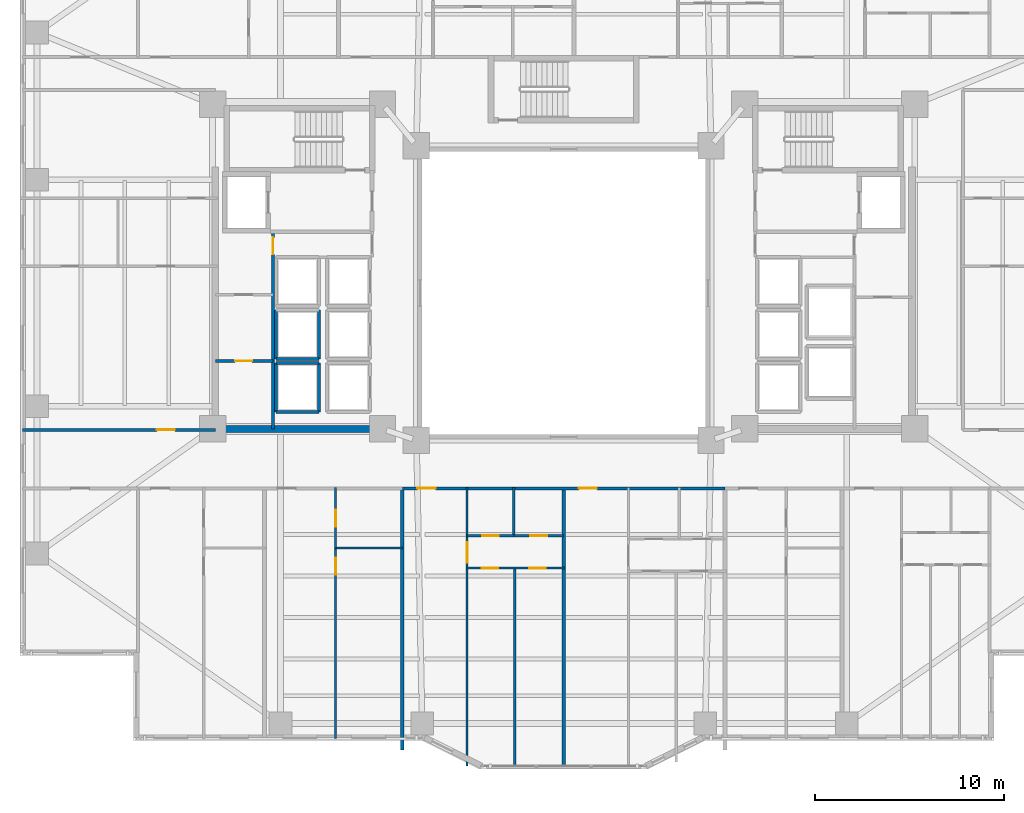
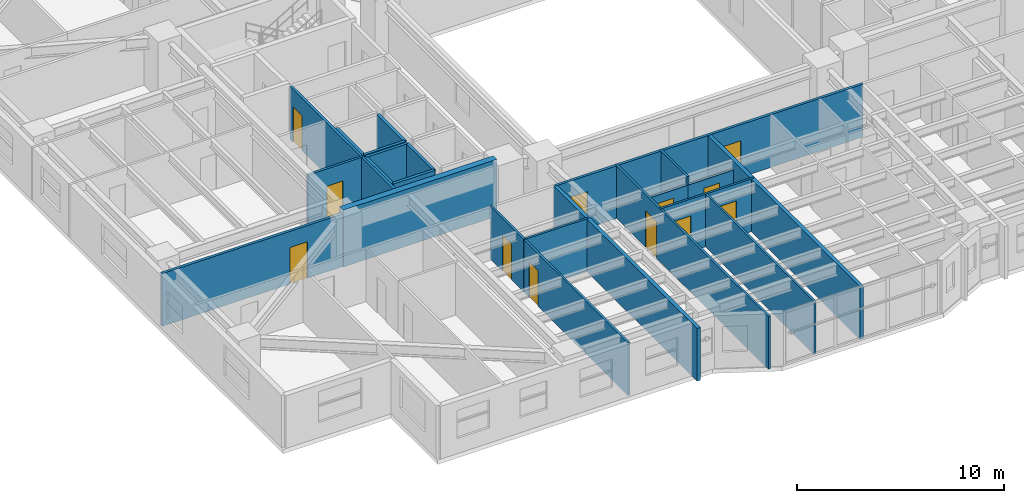
# One storey, part 10 of 22: 23 walls, 12 doors, 12 openings.
"""IFC4 building model written with IfcOpenShell, lengths in metres."""

import ifcopenshell
import ifcopenshell.guid

model = None  # the IFC model being written
_history = None  # IfcOwnerHistory: only IFC2X3 demands one
_inside = {}  # id of a spatial element -> (the spatial element, [elements in it])
_under = {}  # id of a project, library or spatial element -> (it, [spatial elements below it])
_declared = {}  # id of a project -> (the project, [libraries it declares])
_typed = {}  # id of a type object -> (the type object, [elements of that type])
_made_of = {}  # id of a material, layer set ... -> (it, [elements and type objects made of it])


def new_model(schema):
    """Start an empty IFC model of exactly this schema.

    Asked for "IFC4X3", IfcOpenShell would pick the latest addendum, in which some entities
    have other attributes; the version numbers below select the first issue.
    IFC2X3 requires an IfcOwnerHistory on every rooted entity: one is made here for all.
    """
    global model, _history
    if schema == "IFC4X3":
        model = ifcopenshell.file(schema_version=(4, 3, 0, 0))
    else:
        model = ifcopenshell.file(schema=schema)
    _inside.clear()
    _under.clear()
    _declared.clear()
    _typed.clear()
    _made_of.clear()
    _history = None
    if model.schema == "IFC2X3":
        org = make("IfcOrganization", Name="unknown")
        user = make(
            "IfcPersonAndOrganization",
            ThePerson=make("IfcPerson", FamilyName="unknown"),
            TheOrganization=org,
        )
        app = make(
            "IfcApplication",
            ApplicationDeveloper=org,
            Version="unknown",
            ApplicationFullName="unknown",
            ApplicationIdentifier="unknown",
        )
        _history = make(
            "IfcOwnerHistory",
            OwningUser=user,
            OwningApplication=app,
            ChangeAction="ADDED",
            CreationDate=0,
        )
    return model


def make(cls, **values):
    """One entity of the class cls with the attributes given. An attribute that is None is left unset."""
    return model.create_entity(
        cls, **{name: value for name, value in values.items() if value is not None}
    )


def rooted(cls, **values):
    """An entity with a GlobalId (a new one), such as an element, a storey or a relation."""
    return make(cls, GlobalId=ifcopenshell.guid.new(), OwnerHistory=_history, **values)


def si_unit(unit_type, name, prefix=None):
    """IfcSIUnit, for example si_unit("LENGTHUNIT", "METRE", prefix="MILLI")."""
    return make("IfcSIUnit", UnitType=unit_type, Prefix=prefix, Name=name)


def assignment(units):
    """IfcUnitAssignment: the units of a project."""
    return None if units is None else make("IfcUnitAssignment", Units=units)


def point(xyz):
    """IfcCartesianPoint."""
    return None if xyz is None else make("IfcCartesianPoint", Coordinates=xyz)


def direction(xyz):
    """IfcDirection."""
    return None if xyz is None else make("IfcDirection", DirectionRatios=xyz)


def frame(location, z_axis=None, x_axis=None):
    """IfcAxis2Placement3D, a coordinate frame: its origin and axes. An axis left out is left unset."""
    return make(
        "IfcAxis2Placement3D",
        Location=point(location),
        Axis=direction(z_axis),
        RefDirection=direction(x_axis),
    )


def frame_2d(location, x_axis=None):
    """IfcAxis2Placement2D, a coordinate frame in the plane: its origin and x axis."""
    return make(
        "IfcAxis2Placement2D", Location=point(location), RefDirection=direction(x_axis)
    )


def origin():
    """The frame at (0, 0, 0) with its axes left unset."""
    return frame((0.0, 0.0, 0.0))


def place(relative_to, where):
    """IfcLocalPlacement: puts the frame where relative to a parent placement (None: the world)."""
    return make(
        "IfcLocalPlacement", PlacementRelTo=relative_to, RelativePlacement=where
    )


def context(
    kind, dimensions, precision=None, world=None, true_north=None, identifier=None
):
    """IfcGeometricRepresentationContext, for example the 3D "Model" context."""
    return make(
        "IfcGeometricRepresentationContext",
        ContextIdentifier=identifier,
        ContextType=kind,
        CoordinateSpaceDimension=dimensions,
        Precision=precision,
        WorldCoordinateSystem=world,
        TrueNorth=true_north,
    )


def subcontext(parent, identifier, kind, view, scale=None):
    """IfcGeometricRepresentationSubContext, for example "Body" below "Model"."""
    return make(
        "IfcGeometricRepresentationSubContext",
        ContextIdentifier=identifier,
        ContextType=kind,
        ParentContext=parent,
        TargetScale=scale,
        TargetView=view,
    )


def project(units=None, contexts=None):
    """IfcProject with its units and contexts."""
    return rooted(
        "IfcProject",
        Name="project",
        RepresentationContexts=contexts,
        UnitsInContext=assignment(units),
    )


def spatial(cls, under=None, at=None, **own):
    """A site, building, storey or space (cls), placed at a placement, below another one or the project."""
    s = rooted(cls, ObjectPlacement=at, **own)
    if under is not None:
        _under.setdefault(under.id(), (under, []))[1].append(s)
    return s


def profile(cls, at=None, kind="AREA", **sizes):
    """A parametric profile (cls). Its sizes go by their IFC names, for example OverallWidth=200.0."""
    return make(cls, ProfileType=kind, Position=at, **sizes)


def rectangle(**sizes):
    """IfcRectangleProfileDef."""
    return profile("IfcRectangleProfileDef", **sizes)


def extrude(swept, where, along, depth):
    """IfcExtrudedAreaSolid: the profile swept, set in the frame where, extruded along a direction by depth."""
    return make(
        "IfcExtrudedAreaSolid",
        SweptArea=swept,
        Position=where,
        ExtrudedDirection=direction(along),
        Depth=depth,
    )


def shape(context_of_items, identifier, shape_type, items):
    """IfcShapeRepresentation: the items that make up one representation, for example the "Body"."""
    return make(
        "IfcShapeRepresentation",
        ContextOfItems=context_of_items,
        RepresentationIdentifier=identifier,
        RepresentationType=shape_type,
        Items=items,
    )


def material(Name=None, Category=None):
    """IfcMaterial."""
    return make("IfcMaterial", Name=Name, Category=Category)


def layer(
    of_material, thickness, ventilated=None, Name=None, Category=None, Priority=None
):
    """IfcMaterialLayer: one layer of a wall or slab, of a material (None: an air gap)."""
    return make(
        "IfcMaterialLayer",
        Material=of_material,
        LayerThickness=thickness,
        IsVentilated=ventilated,
        Name=Name,
        Category=Category,
        Priority=Priority,
    )


def layer_set(layers, Name=None):
    """IfcMaterialLayerSet."""
    return make("IfcMaterialLayerSet", MaterialLayers=layers, LayerSetName=Name)


def made_of(thing, what):
    """Note that an element or type object is made of a material, layer set ...; save() writes the relation."""
    if what is not None:
        _made_of.setdefault(what.id(), (what, []))[1].append(thing)
    return thing


def type_object(cls, material=None, **own):
    """A type object (cls), such as IfcWallType, which elements share."""
    return made_of(rooted(cls, **own), material)


def element(
    cls,
    number,
    at=None,
    inside=None,
    cuts=None,
    type_object=None,
    material=None,
    context=None,
    identifier="Body",
    shape_type=None,
    held_by="IfcProductDefinitionShape",
    body=None,
    shapes=None,
    **own,
):
    """One element of the class cls, such as IfcWall. Its Tag is "e" and its number.

    at: its placement. inside: the storey or other place that contains it. cuts: it is an
    opening in that element (IfcRelVoidsElement). A single representation is given by context,
    identifier, shape_type and body (its items); several are given by shapes. held_by: the class
    of the entity that holds the representations. save() writes the other relations.
    """
    e = rooted(cls, Tag="e%d" % number, ObjectPlacement=at, **own)
    if body is not None:
        shapes = [shape(context, identifier, shape_type, body)]
    if shapes is not None:
        e.Representation = make(held_by, Representations=shapes)
    if inside is not None:
        _inside.setdefault(inside.id(), (inside, []))[1].append(e)
    if cuts is not None:
        rooted(
            "IfcRelVoidsElement", RelatingBuildingElement=cuts, RelatedOpeningElement=e
        )
    if type_object is not None:
        _typed.setdefault(type_object.id(), (type_object, []))[1].append(e)
    return made_of(e, material)


def fill(opening, filler):
    """IfcRelFillsElement: the door or window that sits in an opening."""
    return rooted(
        "IfcRelFillsElement",
        RelatingOpeningElement=opening,
        RelatedBuildingElement=filler,
    )


def aggregate(whole, parts):
    """IfcRelAggregates: a whole, such as a stair, and the parts it consists of."""
    return rooted("IfcRelAggregates", RelatingObject=whole, RelatedObjects=parts)


def save(model, path):
    """Write the relations noted so far, then the file.

    IfcRelAggregates (storeys below a building ...), IfcRelContainedInSpatialStructure (elements
    in a storey), IfcRelDefinesByType, IfcRelAssociatesMaterial and IfcRelDeclares: one each for
    every whole, place, type object, material and project.
    """
    for whole, parts in _under.values():
        aggregate(whole, parts)
    for where, things in _inside.values():
        rooted(
            "IfcRelContainedInSpatialStructure",
            RelatedElements=things,
            RelatingStructure=where,
        )
    for kind, things in _typed.values():
        rooted("IfcRelDefinesByType", RelatedObjects=things, RelatingType=kind)
    for what, things in _made_of.values():
        rooted("IfcRelAssociatesMaterial", RelatedObjects=things, RelatingMaterial=what)
    for by, libraries in _declared.values():
        rooted("IfcRelDeclares", RelatingContext=by, RelatedDefinitions=libraries)
    model.write(path)


model = new_model("IFC4")

# Units and contexts
model_context = context("Model", 3, precision=1e-05, world=origin(), true_north=direction((0.0, 1.0)))
body_context = subcontext(model_context, "Body", "Model", "MODEL_VIEW")
ifc_project = project(units=[si_unit("LENGTHUNIT", "METRE"), si_unit("AREAUNIT", "SQUARE_METRE"), si_unit("VOLUMEUNIT", "CUBIC_METRE"), si_unit("PLANEANGLEUNIT", "RADIAN"), si_unit("MASSUNIT", "GRAM", prefix="KILO")], contexts=[model_context])

# Site, building, storey
site_placement = place(None, origin())
site = spatial("IfcSite", under=ifc_project, at=site_placement, CompositionType="ELEMENT")
building_placement = place(site_placement, origin())
building = spatial("IfcBuilding", under=site, at=building_placement, Name="Tarnavaz Court Tower", CompositionType="ELEMENT")
storey_placement = place(building_placement, frame((0.0, 0.0, 27.35009765625)))
storey = spatial("IfcBuildingStorey", under=building, at=storey_placement, Name="L06", CompositionType="ELEMENT", Elevation=27.35009765625)

# Wall
ifc_material_1 = material(Name="Concrete C60/75", Category="concrete")
ifc_layer_1 = layer(ifc_material_1, 0.35009765625)
ifc_layer_set_1 = layer_set([ifc_layer_1], Name="Concrete C60/75")
wall_type_1 = type_object("IfcWallType", Name="WL-CORE-350-C60", PredefinedType="SHEAR", material=ifc_layer_set_1)
wall_1_placement = place(storey_placement, frame((-18.625, -7.199951171875, 0.0), z_axis=(0.0, 0.0, 1.0), x_axis=(1.0, 0.0, 0.0)))
element("IfcWall", 1, at=wall_1_placement, inside=storey, type_object=wall_type_1, Name="L06 West Core South Shear Wall 070", PredefinedType="SHEAR", context=body_context, shape_type="SweptSolid", body=[
    extrude(rectangle(XDim=8.550048828125, YDim=0.35009765625, at=frame_2d((4.27490234375, 0.0))), origin(), (0.0, 0.0, 1.0), 3.349853515625),
])

# Wall, openings, doors
ifc_material_2 = material(Name="Gypsum Fire-Board on Acoustic Metal Stud", Category="masonry")
ifc_layer_2 = layer(ifc_material_2, 0.14990234375)
ifc_layer_set_2 = layer_set([ifc_layer_2], Name="Gypsum Fire-Board on Acoustic Metal Stud")
wall_type_2 = type_object("IfcWallType", Name="WL-FIRE-150", PredefinedType="PARTITIONING", material=ifc_layer_set_2)
wall_2_placement = place(storey_placement, frame((-8.550048828125, -10.35009765625, 0.0), z_axis=(0.0, 0.0, 1.0), x_axis=(1.0, 0.0, 0.0)))
wall_2 = element("IfcWall", 2, at=wall_2_placement, inside=storey, type_object=wall_type_2, Name="L06 South Ring Corridor Wall 086", PredefinedType="PARTITIONING", context=body_context, shape_type="SweptSolid", body=[
    extrude(rectangle(XDim=17.10009765625, YDim=0.14990234375, at=frame_2d((8.550048828125, 0.0))), origin(), (0.0, 0.0, 1.0), 3.099853515625),
])
opening_1_placement = place(wall_2_placement, frame((0.800048828125, 0.0, 0.0)))
opening_1 = element("IfcOpeningElement", 3, at=opening_1_placement, cuts=wall_2, Name="Opening D06", PredefinedType="OPENING", context=body_context, shape_type="SweptSolid", body=[
    extrude(rectangle(XDim=0.9599609375, YDim=2.14990234375, at=frame_2d((0.47998046875, 1.074951171875))), frame((0.0, 0.0849609375, 0.0), z_axis=(0.0, -1.0, 0.0), x_axis=(1.0, 0.0, 0.0)), (0.0, 0.0, 1.0), 0.169921875),
])
opening_2_placement = place(wall_2_placement, frame((9.35009765625, 0.0, 0.0)))
opening_2 = element("IfcOpeningElement", 4, at=opening_2_placement, cuts=wall_2, Name="Opening D06", PredefinedType="OPENING", context=body_context, shape_type="SweptSolid", body=[
    extrude(rectangle(XDim=0.9599609375, YDim=2.14990234375, at=frame_2d((0.47998046875, 1.074951171875))), frame((0.0, 0.0849609375, 0.0), z_axis=(0.0, -1.0, 0.0), x_axis=(1.0, 0.0, 0.0)), (0.0, 0.0, 1.0), 0.169921875),
])
ifc_material_3 = material(Name="Fire-Rated Hardwood Timber Core", Category="wood")
door_type_1 = type_object("IfcDoorType", Name="DR-FD60-950", OperationType="NOTDEFINED", PredefinedType="DOOR", material=ifc_material_3)
door_1_placement = place(opening_1_placement, origin())
door_1 = element("IfcDoor", 5, at=door_1_placement, inside=storey, type_object=door_type_1, Name="L06 Flat 09 Entrance Door", OperationType="SINGLE_SWING_LEFT", OverallHeight=2.14990234375, OverallWidth=0.9599609375, PredefinedType="DOOR", context=body_context, shape_type="SweptSolid", body=[
    extrude(rectangle(XDim=0.9599609375, YDim=2.14990234375, at=frame_2d((0.47998046875, 1.074951171875))), frame((0.0, 0.02490234375, 0.0), z_axis=(0.0, -1.0, 0.0), x_axis=(1.0, 0.0, 0.0)), (0.0, 0.0, 1.0), 0.050048828125),
])
fill(opening_1, door_1)
door_2_placement = place(opening_2_placement, origin())
door_2 = element("IfcDoor", 6, at=door_2_placement, inside=storey, type_object=door_type_1, Name="L06 Flat 10 Entrance Door", OperationType="SINGLE_SWING_LEFT", OverallHeight=2.14990234375, OverallWidth=0.9599609375, PredefinedType="DOOR", context=body_context, shape_type="SweptSolid", body=[
    extrude(rectangle(XDim=0.9599609375, YDim=2.14990234375, at=frame_2d((0.47998046875, 1.074951171875))), frame((0.0, 0.02490234375, 0.0), z_axis=(0.0, -1.0, 0.0), x_axis=(1.0, 0.0, 0.0)), (0.0, 0.0, 1.0), 0.050048828125),
])
fill(opening_2, door_2)

# Wall, opening, door
wall_3_placement = place(storey_placement, frame((-28.679931640625, -7.25, 0.0), z_axis=(0.0, 0.0, 1.0), x_axis=(1.0, 0.0, 0.0)))
wall_3 = element("IfcWall", 7, at=wall_3_placement, inside=storey, type_object=wall_type_2, Name="L06 Interior Partition 145", PredefinedType="PARTITIONING", context=body_context, shape_type="SweptSolid", body=[
    extrude(rectangle(XDim=10.22998046875, YDim=0.14990234375, at=frame_2d((5.114990234375, 0.0))), origin(), (0.0, 0.0, 1.0), 3.099853515625),
])
opening_3_placement = place(wall_3_placement, frame((7.1298828125, 0.0, 0.0)))
opening_3 = element("IfcOpeningElement", 8, at=opening_3_placement, cuts=wall_3, Name="Opening D06", PredefinedType="OPENING", context=body_context, shape_type="SweptSolid", body=[
    extrude(rectangle(XDim=0.9599609375, YDim=2.14990234375, at=frame_2d((0.47998046875, 1.074951171875))), frame((0.0, 0.0849609375, 0.0), z_axis=(0.0, -1.0, 0.0), x_axis=(1.0, 0.0, 0.0)), (0.0, 0.0, 1.0), 0.169921875),
])
door_3_placement = place(opening_3_placement, origin())
door_3 = element("IfcDoor", 9, at=door_3_placement, inside=storey, type_object=door_type_1, Name="L06 Flat 11 Entrance Door", OperationType="SINGLE_SWING_LEFT", OverallHeight=2.14990234375, OverallWidth=0.9599609375, PredefinedType="DOOR", context=body_context, shape_type="SweptSolid", body=[
    extrude(rectangle(XDim=0.9599609375, YDim=2.14990234375, at=frame_2d((0.47998046875, 1.074951171875))), frame((0.0, 0.02490234375, 0.0), z_axis=(0.0, -1.0, 0.0), x_axis=(1.0, 0.0, 0.0)), (0.0, 0.0, 1.0), 0.050048828125),
])
fill(opening_3, door_3)

# Walls
ifc_material_4 = material(Name="Autoclaved Aerated Concrete Blockwork", Category="masonry")
ifc_layer_3 = layer(ifc_material_4, 0.199951171875)
ifc_layer_set_3 = layer_set([ifc_layer_3], Name="Autoclaved Aerated Concrete Blockwork")
wall_type_3 = type_object("IfcWallType", Name="WL-FIRE-200", PredefinedType="SOLIDWALL", material=ifc_layer_set_3)
wall_4_placement = place(storey_placement, frame((-8.550048828125, -24.2041015625, 0.0), z_axis=(0.0, 0.0, 1.0), x_axis=(0.0, 1.0, 0.0)))
element("IfcWall", 10, at=wall_4_placement, inside=storey, type_object=wall_type_3, Name="L06 Party Wall 130", PredefinedType="SOLIDWALL", context=body_context, shape_type="SweptSolid", body=[
    extrude(rectangle(XDim=13.85400390625, YDim=0.199951171875, at=frame_2d((6.927001953125, 0.0))), origin(), (0.0, 0.0, 1.0), 3.099853515625),
])
wall_5_placement = place(storey_placement, frame((0.0, -25.080078125, 0.0), z_axis=(0.0, 0.0, 1.0), x_axis=(0.0, 1.0, 0.0)))
element("IfcWall", 11, at=wall_5_placement, inside=storey, type_object=wall_type_3, Name="L06 Party Wall 132", PredefinedType="SOLIDWALL", context=body_context, shape_type="SweptSolid", body=[
    extrude(rectangle(XDim=14.72998046875, YDim=0.199951171875, at=frame_2d((7.364990234375, 0.0))), origin(), (0.0, 0.0, 1.0), 3.099853515625),
])

# Wall, opening, door
ifc_material_5 = material(Name="Moisture-Resistant Gypsum Board Partition", Category="masonry")
ifc_layer_4 = layer(ifc_material_5, 0.1201171875)
ifc_layer_set_4 = layer_set([ifc_layer_4], Name="Moisture-Resistant Gypsum Board Partition")
wall_type_4 = type_object("IfcWallType", Name="WL-PART-120", PredefinedType="PARTITIONING", material=ifc_layer_set_4)
wall_6_placement = place(storey_placement, frame((-12.083984375, -23.60009765625, 0.0), z_axis=(0.0, 0.0, 1.0), x_axis=(0.0, 1.0, 0.0)))
wall_6 = element("IfcWall", 12, at=wall_6_placement, inside=storey, type_object=wall_type_4, Name="L06 Interior Partition 116", PredefinedType="PARTITIONING", context=body_context, shape_type="SweptSolid", body=[
    extrude(rectangle(XDim=10.090087890625, YDim=0.1201171875, at=frame_2d((5.044921875, 0.0))), origin(), (0.0, 0.0, 1.0), 3.099853515625),
])
opening_4_placement = place(wall_6_placement, frame((8.68994140625, 0.0, 0.0)))
opening_4 = element("IfcOpeningElement", 13, at=opening_4_placement, cuts=wall_6, Name="Opening D14", PredefinedType="OPENING", context=body_context, shape_type="SweptSolid", body=[
    extrude(rectangle(XDim=0.8798828125, YDim=2.10009765625, at=frame_2d((0.43994140625, 1.050048828125))), frame((0.0, 0.070068359375, 0.0), z_axis=(0.0, -1.0, 0.0), x_axis=(1.0, 0.0, 0.0)), (0.0, 0.0, 1.0), 0.14013671875),
])
ifc_material_6 = material(Name="Engineered Oak Timber", Category="wood")
door_type_2 = type_object("IfcDoorType", Name="DR-INT-900", OperationType="NOTDEFINED", PredefinedType="DOOR", material=ifc_material_6)
door_4_placement = place(opening_4_placement, origin())
door_4 = element("IfcDoor", 14, at=door_4_placement, inside=storey, type_object=door_type_2, Name="L06 Flat 06 Kitchen Door", OperationType="SINGLE_SWING_LEFT", OverallHeight=2.10009765625, OverallWidth=0.8798828125, PredefinedType="DOOR", context=body_context, shape_type="SweptSolid", body=[
    extrude(rectangle(XDim=0.8798828125, YDim=2.10009765625, at=frame_2d((0.43994140625, 1.050048828125))), frame((0.0, 0.02490234375, 0.0), z_axis=(0.0, -1.0, 0.0), x_axis=(1.0, 0.0, 0.0)), (0.0, 0.0, 1.0), 0.050048828125),
])
fill(opening_4, door_4)

wall_7_placement = place(storey_placement, frame((-12.083984375, -13.510009765625, 0.0), z_axis=(0.0, 0.0, 1.0), x_axis=(0.0, 1.0, 0.0)))
wall_7 = element("IfcWall", 15, at=wall_7_placement, inside=storey, type_object=wall_type_4, Name="L06 Interior Partition 117", PredefinedType="PARTITIONING", context=body_context, shape_type="SweptSolid", body=[
    extrude(rectangle(XDim=3.219970703125, YDim=0.1201171875, at=frame_2d((1.60986328125, 0.0))), origin(), (0.0, 0.0, 1.0), 3.099853515625),
])
opening_5_placement = place(wall_7_placement, frame((1.139892578125, 0.0, 0.0)))
opening_5 = element("IfcOpeningElement", 16, at=opening_5_placement, cuts=wall_7, Name="Opening D14", PredefinedType="OPENING", context=body_context, shape_type="SweptSolid", body=[
    extrude(rectangle(XDim=0.8798828125, YDim=2.10009765625, at=frame_2d((0.43994140625, 1.050048828125))), frame((0.0, 0.070068359375, 0.0), z_axis=(0.0, -1.0, 0.0), x_axis=(1.0, 0.0, 0.0)), (0.0, 0.0, 1.0), 0.14013671875),
])
door_5_placement = place(opening_5_placement, origin())
door_5 = element("IfcDoor", 17, at=door_5_placement, inside=storey, type_object=door_type_2, Name="L06 Flat 06 Bathroom Door", OperationType="SINGLE_SWING_RIGHT", OverallHeight=2.10009765625, OverallWidth=0.8798828125, PredefinedType="DOOR", context=body_context, shape_type="SweptSolid", body=[
    extrude(rectangle(XDim=0.8798828125, YDim=2.10009765625, at=frame_2d((0.43994140625, 1.050048828125))), frame((0.0, 0.02490234375, 0.0), z_axis=(0.0, -1.0, 0.0), x_axis=(1.0, 0.0, 0.0)), (0.0, 0.0, 1.0), 0.050048828125),
])
fill(opening_5, door_5)

# Wall
wall_8_placement = place(storey_placement, frame((-12.14404296875, -13.510009765625, 0.0), z_axis=(0.0, 0.0, 1.0), x_axis=(1.0, 0.0, 0.0)))
element("IfcWall", 18, at=wall_8_placement, inside=storey, type_object=wall_type_4, Name="L06 Interior Partition 118", PredefinedType="PARTITIONING", context=body_context, shape_type="SweptSolid", body=[
    extrude(rectangle(XDim=3.60400390625, YDim=0.1201171875, at=frame_2d((1.802001953125, 0.0))), origin(), (0.0, 0.0, 1.0), 3.099853515625),
])

# Wall, opening, door
wall_9_placement = place(storey_placement, frame((-5.117919921875, -25.051025390625, 0.0), z_axis=(0.0, 0.0, 1.0), x_axis=(0.0, 1.0, 0.0)))
wall_9 = element("IfcWall", 19, at=wall_9_placement, inside=storey, type_object=wall_type_4, Name="L06 Interior Partition 133", PredefinedType="PARTITIONING", context=body_context, shape_type="SweptSolid", body=[
    extrude(rectangle(XDim=14.760986328125, YDim=0.1201171875, at=frame_2d((7.38037109375, 0.0))), origin(), (0.0, 0.0, 1.0), 3.099853515625),
])
opening_6_placement = place(wall_9_placement, frame((10.76611328125, 0.0, 0.0)))
opening_6 = element("IfcOpeningElement", 20, at=opening_6_placement, cuts=wall_9, Name="Opening D12", PredefinedType="OPENING", context=body_context, shape_type="SweptSolid", body=[
    extrude(rectangle(XDim=1.080078125, YDim=2.14990234375, at=frame_2d((0.5400390625, 1.074951171875))), frame((0.0, 0.070068359375, 0.0), z_axis=(0.0, -1.0, 0.0), x_axis=(1.0, 0.0, 0.0)), (0.0, 0.0, 1.0), 0.14013671875),
])
door_type_3 = type_object("IfcDoorType", Name="DR-INT-1100", OperationType="NOTDEFINED", PredefinedType="DOOR", material=ifc_material_6)
door_6_placement = place(opening_6_placement, origin())
door_6 = element("IfcDoor", 21, at=door_6_placement, inside=storey, type_object=door_type_3, Name="L06 Flat 09 Foyer Door", OperationType="SINGLE_SWING_RIGHT", OverallHeight=2.14990234375, OverallWidth=1.080078125, PredefinedType="DOOR", context=body_context, shape_type="SweptSolid", body=[
    extrude(rectangle(XDim=1.080078125, YDim=2.14990234375, at=frame_2d((0.5400390625, 1.074951171875))), frame((0.0, 0.02490234375, 0.0), z_axis=(0.0, -1.0, 0.0), x_axis=(1.0, 0.0, 0.0)), (0.0, 0.0, 1.0), 0.050048828125),
])
fill(opening_6, door_6)

wall_10_placement = place(storey_placement, frame((-5.117919921875, -12.860107421875, 0.0), z_axis=(0.0, 0.0, 1.0), x_axis=(1.0, 0.0, 0.0)))
wall_10 = element("IfcWall", 22, at=wall_10_placement, inside=storey, type_object=wall_type_4, Name="L06 Interior Partition 134", PredefinedType="PARTITIONING", context=body_context, shape_type="SweptSolid", body=[
    extrude(rectangle(XDim=2.47802734375, YDim=0.1201171875, at=frame_2d((1.239013671875, 0.0))), origin(), (0.0, 0.0, 1.0), 2.5849609375),
])
opening_7_placement = place(wall_10_placement, frame((0.799072265625, 0.0, 0.0)))
opening_7 = element("IfcOpeningElement", 23, at=opening_7_placement, cuts=wall_10, Name="Opening D14", PredefinedType="OPENING", context=body_context, shape_type="SweptSolid", body=[
    extrude(rectangle(XDim=0.8798828125, YDim=2.10009765625, at=frame_2d((0.43994140625, 1.050048828125))), frame((0.0, 0.070068359375, 0.0), z_axis=(0.0, -1.0, 0.0), x_axis=(1.0, 0.0, 0.0)), (0.0, 0.0, 1.0), 0.14013671875),
])
door_7_placement = place(opening_7_placement, origin())
door_7 = element("IfcDoor", 24, at=door_7_placement, inside=storey, type_object=door_type_2, Name="L06 Flat 09 Kitchen Door", OperationType="SINGLE_SWING_LEFT", OverallHeight=2.10009765625, OverallWidth=0.8798828125, PredefinedType="DOOR", context=body_context, shape_type="SweptSolid", body=[
    extrude(rectangle(XDim=0.8798828125, YDim=2.10009765625, at=frame_2d((0.43994140625, 1.050048828125))), frame((0.0, 0.02490234375, 0.0), z_axis=(0.0, -1.0, 0.0), x_axis=(1.0, 0.0, 0.0)), (0.0, 0.0, 1.0), 0.050048828125),
])
fill(opening_7, door_7)

wall_11_placement = place(storey_placement, frame((-2.639892578125, -12.860107421875, 0.0), z_axis=(0.0, 0.0, 1.0), x_axis=(1.0, 0.0, 0.0)))
wall_11 = element("IfcWall", 25, at=wall_11_placement, inside=storey, type_object=wall_type_4, Name="L06 Interior Partition 135", PredefinedType="PARTITIONING", context=body_context, shape_type="SweptSolid", body=[
    extrude(rectangle(XDim=2.639892578125, YDim=0.1201171875, at=frame_2d((1.31982421875, 0.0))), origin(), (0.0, 0.0, 1.0), 2.5849609375),
])
opening_8_placement = place(wall_11_placement, frame((0.8798828125, 0.0, 0.0)))
opening_8 = element("IfcOpeningElement", 26, at=opening_8_placement, cuts=wall_11, Name="Opening D14", PredefinedType="OPENING", context=body_context, shape_type="SweptSolid", body=[
    extrude(rectangle(XDim=0.8798828125, YDim=2.10009765625, at=frame_2d((0.43994140625, 1.050048828125))), frame((0.0, 0.070068359375, 0.0), z_axis=(0.0, -1.0, 0.0), x_axis=(1.0, 0.0, 0.0)), (0.0, 0.0, 1.0), 0.14013671875),
])
door_8_placement = place(opening_8_placement, origin())
door_8 = element("IfcDoor", 27, at=door_8_placement, inside=storey, type_object=door_type_2, Name="L06 Flat 09 Bathroom Door", OperationType="SINGLE_SWING_RIGHT", OverallHeight=2.10009765625, OverallWidth=0.8798828125, PredefinedType="DOOR", context=body_context, shape_type="SweptSolid", body=[
    extrude(rectangle(XDim=0.8798828125, YDim=2.10009765625, at=frame_2d((0.43994140625, 1.050048828125))), frame((0.0, 0.02490234375, 0.0), z_axis=(0.0, -1.0, 0.0), x_axis=(1.0, 0.0, 0.0)), (0.0, 0.0, 1.0), 0.050048828125),
])
fill(opening_8, door_8)

# Wall, openings, doors
wall_12_placement = place(storey_placement, frame((-5.177978515625, -14.570068359375, 0.0), z_axis=(0.0, 0.0, 1.0), x_axis=(1.0, 0.0, 0.0)))
wall_12 = element("IfcWall", 28, at=wall_12_placement, inside=storey, type_object=wall_type_4, Name="L06 Interior Partition 136", PredefinedType="PARTITIONING", context=body_context, shape_type="SweptSolid", body=[
    extrude(rectangle(XDim=5.238037109375, YDim=0.1201171875, at=frame_2d((2.619140625, 0.0))), origin(), (0.0, 0.0, 1.0), 3.099853515625),
])
opening_9_placement = place(wall_12_placement, frame((0.824951171875, 0.0, 0.0)))
opening_9 = element("IfcOpeningElement", 29, at=opening_9_placement, cuts=wall_12, Name="Opening D14", PredefinedType="OPENING", context=body_context, shape_type="SweptSolid", body=[
    extrude(rectangle(XDim=0.8798828125, YDim=2.10009765625, at=frame_2d((0.43994140625, 1.050048828125))), frame((0.0, 0.070068359375, 0.0), z_axis=(0.0, -1.0, 0.0), x_axis=(1.0, 0.0, 0.0)), (0.0, 0.0, 1.0), 0.14013671875),
])
opening_10_placement = place(wall_12_placement, frame((3.35400390625, 0.0, 0.0)))
opening_10 = element("IfcOpeningElement", 30, at=opening_10_placement, cuts=wall_12, Name="Opening D14", PredefinedType="OPENING", context=body_context, shape_type="SweptSolid", body=[
    extrude(rectangle(XDim=0.8798828125, YDim=2.10009765625, at=frame_2d((0.43994140625, 1.050048828125))), frame((0.0, 0.070068359375, 0.0), z_axis=(0.0, -1.0, 0.0), x_axis=(1.0, 0.0, 0.0)), (0.0, 0.0, 1.0), 0.14013671875),
])
door_9_placement = place(opening_9_placement, origin())
door_9 = element("IfcDoor", 31, at=door_9_placement, inside=storey, type_object=door_type_2, Name="L06 Flat 09 Bedroom 1 Door", OperationType="SINGLE_SWING_LEFT", OverallHeight=2.10009765625, OverallWidth=0.8798828125, PredefinedType="DOOR", context=body_context, shape_type="SweptSolid", body=[
    extrude(rectangle(XDim=0.8798828125, YDim=2.10009765625, at=frame_2d((0.43994140625, 1.050048828125))), frame((0.0, 0.02490234375, 0.0), z_axis=(0.0, -1.0, 0.0), x_axis=(1.0, 0.0, 0.0)), (0.0, 0.0, 1.0), 0.050048828125),
])
fill(opening_9, door_9)
door_10_placement = place(opening_10_placement, origin())
door_10 = element("IfcDoor", 32, at=door_10_placement, inside=storey, type_object=door_type_2, Name="L06 Flat 09 Bedroom 2 Door", OperationType="SINGLE_SWING_RIGHT", OverallHeight=2.10009765625, OverallWidth=0.8798828125, PredefinedType="DOOR", context=body_context, shape_type="SweptSolid", body=[
    extrude(rectangle(XDim=0.8798828125, YDim=2.10009765625, at=frame_2d((0.43994140625, 1.050048828125))), frame((0.0, 0.02490234375, 0.0), z_axis=(0.0, -1.0, 0.0), x_axis=(1.0, 0.0, 0.0)), (0.0, 0.0, 1.0), 0.050048828125),
])
fill(opening_10, door_10)

# Walls
wall_13_placement = place(storey_placement, frame((-2.639892578125, -12.919921875, 0.0), z_axis=(0.0, 0.0, 1.0), x_axis=(0.0, 1.0, 0.0)))
element("IfcWall", 33, at=wall_13_placement, inside=storey, type_object=wall_type_4, Name="L06 Interior Partition 137", PredefinedType="PARTITIONING", context=body_context, shape_type="SweptSolid", body=[
    extrude(rectangle(XDim=2.6298828125, YDim=0.1201171875, at=frame_2d((1.31494140625, 0.0))), origin(), (0.0, 0.0, 1.0), 3.099853515625),
])
wall_14_placement = place(storey_placement, frame((-2.589111328125, -25.080078125, 0.0), z_axis=(0.0, 0.0, 1.0), x_axis=(0.0, 1.0, 0.0)))
element("IfcWall", 34, at=wall_14_placement, inside=storey, type_object=wall_type_4, Name="L06 Interior Partition 138", PredefinedType="PARTITIONING", context=body_context, shape_type="SweptSolid", body=[
    extrude(rectangle(XDim=10.570068359375, YDim=0.1201171875, at=frame_2d((5.28515625, 0.0))), origin(), (0.0, 0.0, 1.0), 3.099853515625),
])

# Wall, opening, door
ifc_material_7 = material(Name="Gypsum Plasterboard Acoustic Partition", Category="masonry")
ifc_layer_5 = layer(ifc_material_7, 0.139892578125)
ifc_layer_set_5 = layer_set([ifc_layer_5], Name="Gypsum Plasterboard Acoustic Partition")
wall_type_5 = type_object("IfcWallType", Name="WL-PART-150", PredefinedType="PARTITIONING", material=ifc_layer_set_5)
wall_15_placement = place(storey_placement, frame((-15.39990234375, -7.199951171875, 0.0), z_axis=(0.0, 0.0, 1.0), x_axis=(0.0, 1.0, 0.0)))
wall_15 = element("IfcWall", 35, at=wall_15_placement, inside=storey, type_object=wall_type_5, Name="L06 Interior Partition 075", PredefinedType="PARTITIONING", context=body_context, shape_type="SweptSolid", body=[
    extrude(rectangle(XDim=10.449951171875, YDim=0.139892578125, at=frame_2d((5.22509765625, 0.0))), origin(), (0.0, 0.0, 1.0), 3.099853515625),
])
opening_11_placement = place(wall_15_placement, frame((9.25, 0.0, 0.0)))
opening_11 = element("IfcOpeningElement", 36, at=opening_11_placement, cuts=wall_15, Name="Opening D09", PredefinedType="OPENING", context=body_context, shape_type="SweptSolid", body=[
    extrude(rectangle(XDim=0.89990234375, YDim=2.080078125, at=frame_2d((0.449951171875, 1.0400390625))), frame((0.0, 0.079833984375, 0.0), z_axis=(0.0, -1.0, 0.0), x_axis=(1.0, 0.0, 0.0)), (0.0, 0.0, 1.0), 0.159912109375),
])
door_type_4 = type_object("IfcDoorType", Name="DR-FD30-900", OperationType="NOTDEFINED", PredefinedType="DOOR", material=ifc_material_3)
door_11_placement = place(opening_11_placement, origin())
door_11 = element("IfcDoor", 37, at=door_11_placement, inside=storey, type_object=door_type_4, Name="L06 West ICT Comms Door", OperationType="SINGLE_SWING_RIGHT", OverallHeight=2.080078125, OverallWidth=0.89990234375, PredefinedType="DOOR", context=body_context, shape_type="SweptSolid", body=[
    extrude(rectangle(XDim=0.89990234375, YDim=2.080078125, at=frame_2d((0.449951171875, 1.0400390625))), frame((0.0, 0.02490234375, 0.0), z_axis=(0.0, -1.0, 0.0), x_axis=(1.0, 0.0, 0.0)), (0.0, 0.0, 1.0), 0.050048828125),
])
fill(opening_11, door_11)

wall_16_placement = place(storey_placement, frame((-18.449951171875, -3.60009765625, 0.0), z_axis=(0.0, 0.0, 1.0), x_axis=(1.0, 0.0, 0.0)))
wall_16 = element("IfcWall", 38, at=wall_16_placement, inside=storey, type_object=wall_type_5, Name="L06 Interior Partition 076", PredefinedType="PARTITIONING", context=body_context, shape_type="SweptSolid", body=[
    extrude(rectangle(XDim=3.050048828125, YDim=0.139892578125, at=frame_2d((1.52490234375, 0.0))), origin(), (0.0, 0.0, 1.0), 3.099853515625),
])
opening_12_placement = place(wall_16_placement, frame((1.050048828125, 0.0, 0.0)))
opening_12 = element("IfcOpeningElement", 39, at=opening_12_placement, cuts=wall_16, Name="Opening D09", PredefinedType="OPENING", context=body_context, shape_type="SweptSolid", body=[
    extrude(rectangle(XDim=0.89990234375, YDim=2.080078125, at=frame_2d((0.449951171875, 1.0400390625))), frame((0.0, 0.079833984375, 0.0), z_axis=(0.0, -1.0, 0.0), x_axis=(1.0, 0.0, 0.0)), (0.0, 0.0, 1.0), 0.159912109375),
])
door_12_placement = place(opening_12_placement, origin())
door_12 = element("IfcDoor", 40, at=door_12_placement, inside=storey, type_object=door_type_4, Name="L06 West Electrical Closet Door", OperationType="SINGLE_SWING_RIGHT", OverallHeight=2.080078125, OverallWidth=0.89990234375, PredefinedType="DOOR", context=body_context, shape_type="SweptSolid", body=[
    extrude(rectangle(XDim=0.89990234375, YDim=2.080078125, at=frame_2d((0.449951171875, 1.0400390625))), frame((0.0, 0.02490234375, 0.0), z_axis=(0.0, -1.0, 0.0), x_axis=(1.0, 0.0, 0.0)), (0.0, 0.0, 1.0), 0.050048828125),
])
fill(opening_12, door_12)

# Walls
ifc_layer_6 = layer(ifc_material_4, 0.159912109375)
ifc_layer_set_6 = layer_set([ifc_layer_6], Name="Autoclaved Aerated Concrete Blockwork")
wall_type_6 = type_object("IfcWallType", Name="WL-SHAFT-150", PredefinedType="SOLIDWALL", material=ifc_layer_set_6)
for number, where, z_axis, x_axis, name in (
    (41, (-15.25, -6.300048828125, 0.0), (0.0, 0.0, 1.0), (0.0, 1.0, 0.0), "L06 Lift PL-H1 Shaft Wall 033"),
    (42, (-12.949951171875, -6.300048828125, 0.0), (0.0, 0.0, 1.0), (0.0, 1.0, 0.0), "L06 Lift PL-H1 Shaft Wall 034"),
):
    element("IfcWall", number, at=place(storey_placement, frame(where, z_axis=z_axis, x_axis=x_axis)), inside=storey, type_object=wall_type_6, Name=name, PredefinedType="SOLIDWALL", context=body_context, shape_type="SweptSolid", body=[
        extrude(rectangle(XDim=2.60009765625, YDim=0.159912109375, at=frame_2d((1.300048828125, 0.0))), origin(), (0.0, 0.0, 1.0), 3.099853515625),
    ])
for number, where, z_axis, x_axis, name in (
    (43, (-15.25, -6.300048828125, 0.0), (0.0, 0.0, 1.0), (1.0, 0.0, 0.0), "L06 Lift PL-H1 Shaft Wall 035"),
    (44, (-15.25, -3.699951171875, 0.0), (0.0, 0.0, 1.0), (1.0, 0.0, 0.0), "L06 Lift PL-H1 Shaft Wall 036"),
):
    element("IfcWall", number, at=place(storey_placement, frame(where, z_axis=z_axis, x_axis=x_axis)), inside=storey, type_object=wall_type_6, Name=name, PredefinedType="SOLIDWALL", context=body_context, shape_type="SweptSolid", body=[
        extrude(rectangle(XDim=2.300048828125, YDim=0.159912109375, at=frame_2d((1.14990234375, 0.0))), origin(), (0.0, 0.0, 1.0), 3.099853515625),
    ])
for number, where, z_axis, x_axis, name in (
    (45, (-15.25, -3.5, 0.0), (0.0, 0.0, 1.0), (0.0, 1.0, 0.0), "L06 Lift PL-H2 Shaft Wall 037"),
    (46, (-12.949951171875, -3.5, 0.0), (0.0, 0.0, 1.0), (0.0, 1.0, 0.0), "L06 Lift PL-H2 Shaft Wall 038"),
):
    element("IfcWall", number, at=place(storey_placement, frame(where, z_axis=z_axis, x_axis=x_axis)), inside=storey, type_object=wall_type_6, Name=name, PredefinedType="SOLIDWALL", context=body_context, shape_type="SweptSolid", body=[
        extrude(rectangle(XDim=2.60009765625, YDim=0.159912109375, at=frame_2d((1.300048828125, 0.0))), origin(), (0.0, 0.0, 1.0), 3.099853515625),
    ])
wall_17_placement = place(storey_placement, frame((-15.25, -3.5, 0.0), z_axis=(0.0, 0.0, 1.0), x_axis=(1.0, 0.0, 0.0)))
element("IfcWall", 47, at=wall_17_placement, inside=storey, type_object=wall_type_6, Name="L06 Lift PL-H2 Shaft Wall 039", PredefinedType="SOLIDWALL", context=body_context, shape_type="SweptSolid", body=[
    extrude(rectangle(XDim=2.300048828125, YDim=0.159912109375, at=frame_2d((1.14990234375, 0.0))), origin(), (0.0, 0.0, 1.0), 3.099853515625),
])

save(model, "model.ifc")
